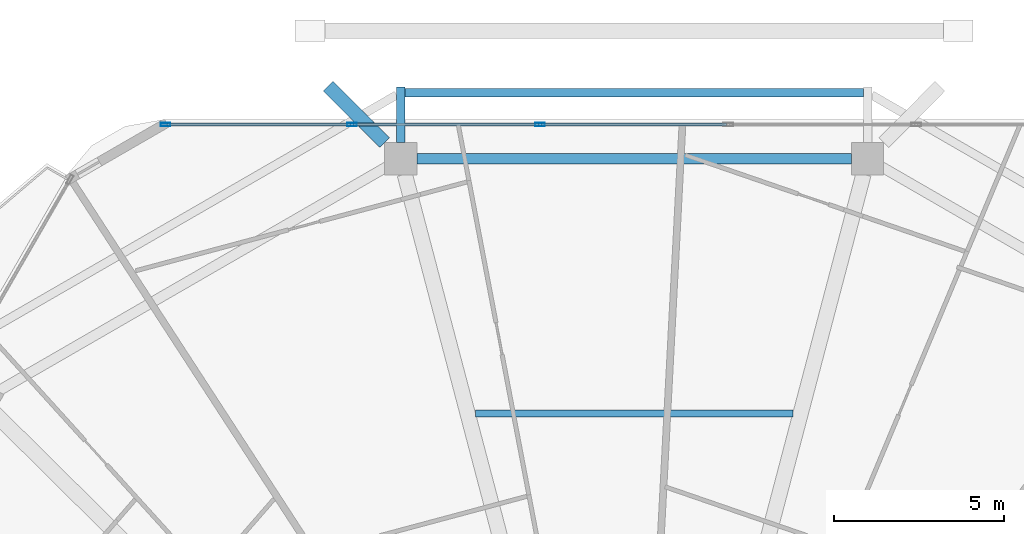
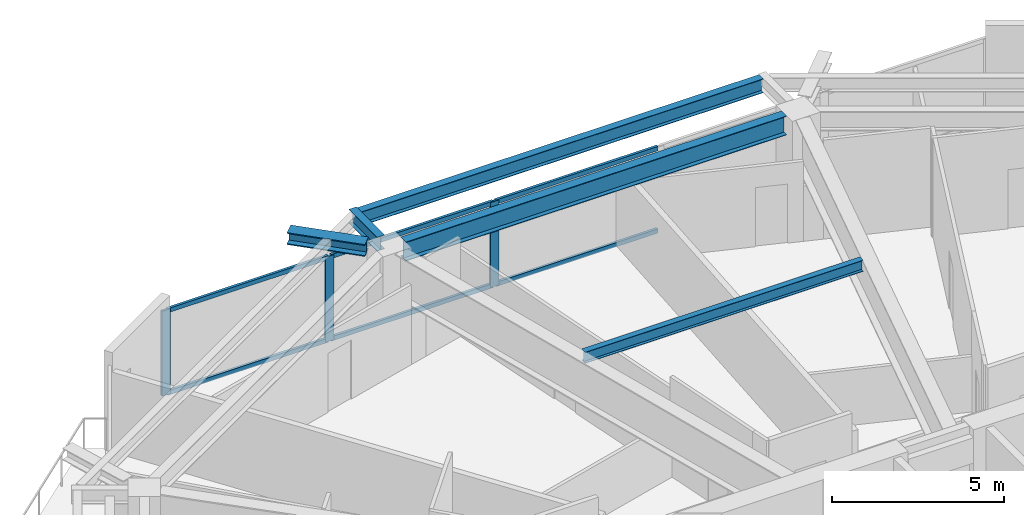
# One storey, part 15 of 28: 9 members, 5 beams, 1 element without a shape of its own.
"""IFC4 building model written with IfcOpenShell, lengths in metres."""

from ifc_helpers import new_model, si_unit, direction, frame, origin, origin_2d, place, context, subcontext, project, spatial, hollow_rectangle, i_section, extrude, material, material_profile, profile_set, type_object, element, aggregate, save


model = new_model("IFC4")

# Units and contexts
model_context = context("Model", 3, precision=1e-05, world=origin(), true_north=direction((0.0, 1.0)))
body_context = subcontext(model_context, "Body", "Model", "MODEL_VIEW")
ifc_project = project(units=[si_unit("LENGTHUNIT", "METRE"), si_unit("AREAUNIT", "SQUARE_METRE"), si_unit("VOLUMEUNIT", "CUBIC_METRE"), si_unit("PLANEANGLEUNIT", "RADIAN"), si_unit("MASSUNIT", "GRAM", prefix="KILO")], contexts=[model_context])

# Site, building, storey
site_placement = place(None, origin())
site = spatial("IfcSite", under=ifc_project, at=site_placement, CompositionType="ELEMENT")
building_placement = place(site_placement, origin())
building = spatial("IfcBuilding", under=site, at=building_placement, Name="Zuhravey Tower", CompositionType="ELEMENT")
storey_placement = place(building_placement, frame((0.0, 0.0, 222.60009765625)))
storey = spatial("IfcBuildingStorey", under=building, at=storey_placement, Name="L56", CompositionType="ELEMENT", Elevation=222.60009765625)

# Curtain wall, members
ifc_material_1 = material(Name="Thermally broken anodised aluminium", Category="aluminium")
curtain_wall_type = type_object("IfcCurtainWallType", Name="Zone 1-2 Residential Curtain Wall CW3", PredefinedType="NOTDEFINED", material=ifc_material_1)
curtain_wall_placement = place(storey_placement, origin())
curtain_wall = element("IfcCurtainWall", 1, at=curtain_wall_placement, inside=storey, type_object=curtain_wall_type, Name="L56 CW3 CW-L56-F2-1", PredefinedType="NOTDEFINED")
ifc_material_2 = material(Name="Anodised aluminium", Category="aluminium")
ifc_material_profile_1 = material_profile(ifc_material_2, hollow_rectangle(XDim=0.090087890625, YDim=0.284912109375, WallThickness=0.0048828125, at=origin_2d()), Name="ALU-RHS-90x285x5")
ifc_profile_set_1 = profile_set([ifc_material_profile_1], Name="Anodised aluminium")
member_type_1 = type_object("IfcMemberType", Name="Curtain-Wall Mullion 90x180", PredefinedType="MULLION", material=ifc_profile_set_1)
member_1_placement = place(storey_placement, frame((22.183837890625, 59.18310546875, 0.0), z_axis=(0.0, 0.0, 1.0), x_axis=(0.0, 1.0, 0.0)))
member_1 = element("IfcMember", 2, at=member_1_placement, type_object=member_type_1, Name="CW3 mullion 1", PredefinedType="MULLION", context=body_context, shape_type="SweptSolid", body=[
    extrude(hollow_rectangle(XDim=0.090087890625, YDim=0.284912109375, WallThickness=0.0048828125, at=origin_2d()), origin(), (0.0, 0.0, 1.0), 3.02001953125),
])
member_2_placement = place(storey_placement, frame((27.683349609375, 59.18310546875, 0.0), z_axis=(0.0, 0.0, 1.0), x_axis=(0.0, 1.0, 0.0)))
member_2 = element("IfcMember", 3, at=member_2_placement, type_object=member_type_1, Name="CW3 mullion 2", PredefinedType="MULLION", context=body_context, shape_type="SweptSolid", body=[
    extrude(hollow_rectangle(XDim=0.090087890625, YDim=0.284912109375, WallThickness=0.0048828125, at=origin_2d()), origin(), (0.0, 0.0, 1.0), 3.02001953125),
])
member_3_placement = place(storey_placement, frame((33.227783203125, 59.18310546875, 0.0), z_axis=(0.0, 0.0, 1.0), x_axis=(0.0, 1.0, 0.0)))
member_3 = element("IfcMember", 4, at=member_3_placement, type_object=member_type_1, Name="CW3 mullion 3", PredefinedType="MULLION", context=body_context, shape_type="SweptSolid", body=[
    extrude(hollow_rectangle(XDim=0.090087890625, YDim=0.284912109375, WallThickness=0.0048828125, at=origin_2d()), origin(), (0.0, 0.0, 1.0), 3.02001953125),
])
ifc_material_profile_2 = material_profile(ifc_material_2, hollow_rectangle(XDim=0.090087890625, YDim=0.14990234375, WallThickness=0.0048828125, at=origin_2d()), Name="ALU-RHS-90x150x5")
ifc_profile_set_2 = profile_set([ifc_material_profile_2], Name="Anodised aluminium")
member_type_2 = type_object("IfcMemberType", Name="Curtain-Wall Transom 90x150", PredefinedType="USERDEFINED", material=ifc_profile_set_2)
member_4_placement = place(storey_placement, frame((22.22900390625, 59.18310546875, 0.044921875), z_axis=(1.0, 0.0, 0.0), x_axis=(0.0, 1.0, 0.0)))
member_4 = element("IfcMember", 5, at=member_4_placement, type_object=member_type_2, Name="CW3 transom 1.1", ObjectType="TRANSOM", PredefinedType="USERDEFINED", context=body_context, shape_type="SweptSolid", body=[
    extrude(hollow_rectangle(XDim=0.090087890625, YDim=0.14990234375, WallThickness=0.0048828125, at=origin_2d()), origin(), (0.0, 0.0, 1.0), 5.409423828125),
])
member_5_placement = place(storey_placement, frame((22.22900390625, 59.18310546875, 2.974853515625), z_axis=(1.0, 0.0, 0.0), x_axis=(0.0, 1.0, 0.0)))
member_5 = element("IfcMember", 6, at=member_5_placement, type_object=member_type_2, Name="CW3 transom 1.2", ObjectType="TRANSOM", PredefinedType="USERDEFINED", context=body_context, shape_type="SweptSolid", body=[
    extrude(hollow_rectangle(XDim=0.090087890625, YDim=0.14990234375, WallThickness=0.0048828125, at=origin_2d()), origin(), (0.0, 0.0, 1.0), 5.409423828125),
])
member_6_placement = place(storey_placement, frame((27.728271484375, 59.18310546875, 0.044921875), z_axis=(1.0, 0.0, 0.0), x_axis=(0.0, 1.0, 0.0)))
member_6 = element("IfcMember", 7, at=member_6_placement, type_object=member_type_2, Name="CW3 transom 2.1", ObjectType="TRANSOM", PredefinedType="USERDEFINED", context=body_context, shape_type="SweptSolid", body=[
    extrude(hollow_rectangle(XDim=0.090087890625, YDim=0.14990234375, WallThickness=0.0048828125, at=origin_2d()), origin(), (0.0, 0.0, 1.0), 5.45458984375),
])
member_7_placement = place(storey_placement, frame((27.728271484375, 59.18310546875, 2.974853515625), z_axis=(1.0, 0.0, 0.0), x_axis=(0.0, 1.0, 0.0)))
member_7 = element("IfcMember", 8, at=member_7_placement, type_object=member_type_2, Name="CW3 transom 2.2", ObjectType="TRANSOM", PredefinedType="USERDEFINED", context=body_context, shape_type="SweptSolid", body=[
    extrude(hollow_rectangle(XDim=0.090087890625, YDim=0.14990234375, WallThickness=0.0048828125, at=origin_2d()), origin(), (0.0, 0.0, 1.0), 5.45458984375),
])
member_8_placement = place(storey_placement, frame((33.272705078125, 59.18310546875, 0.044921875), z_axis=(1.0, 0.0, 0.0), x_axis=(0.0, 1.0, 0.0)))
member_8 = element("IfcMember", 9, at=member_8_placement, type_object=member_type_2, Name="CW3 transom 3.1", ObjectType="TRANSOM", PredefinedType="USERDEFINED", context=body_context, shape_type="SweptSolid", body=[
    extrude(hollow_rectangle(XDim=0.090087890625, YDim=0.14990234375, WallThickness=0.0048828125, at=origin_2d()), origin(), (0.0, 0.0, 1.0), 5.45458984375),
])
member_9_placement = place(storey_placement, frame((33.272705078125, 59.18310546875, 2.974853515625), z_axis=(1.0, 0.0, 0.0), x_axis=(0.0, 1.0, 0.0)))
member_9 = element("IfcMember", 10, at=member_9_placement, type_object=member_type_2, Name="CW3 transom 3.2", ObjectType="TRANSOM", PredefinedType="USERDEFINED", context=body_context, shape_type="SweptSolid", body=[
    extrude(hollow_rectangle(XDim=0.090087890625, YDim=0.14990234375, WallThickness=0.0048828125, at=origin_2d()), origin(), (0.0, 0.0, 1.0), 5.45458984375),
])
aggregate(curtain_wall, [member_1, member_2, member_3, member_4, member_5, member_6, member_7, member_8, member_9])

# Beams
ifc_material_3 = material(Name="Steel SM460", Category="steel")
ifc_material_profile_3 = material_profile(ifc_material_3, i_section(OverallWidth=0.406982421875, OverallDepth=0.427978515625, WebThickness=0.02001953125, FlangeThickness=0.034912109375, at=origin_2d()), Name="H-428x407x20x35")
ifc_profile_set_3 = profile_set([ifc_material_profile_3], Name="Steel SM460")
beam_type_1 = type_object("IfcBeamType", Name="Exoskeleton Node Tie Beam H428x407", PredefinedType="BEAM", material=ifc_profile_set_3)
beam_1_placement = place(storey_placement, frame((28.640869140625, 58.65087890625, 3.305908203125), z_axis=(-0.706482772037, 0.707730240145, 0.0), x_axis=(-0.707730240145, -0.706482772037, 0.0)))
element("IfcBeam", 11, at=beam_1_placement, inside=storey, type_object=beam_type_1, Name="L56 Exoskeleton Node Tie NT1-04", PredefinedType="BEAM", context=body_context, shape_type="SweptSolid", body=[
    extrude(i_section(OverallWidth=0.406982421875, OverallDepth=0.427978515625, WebThickness=0.02001953125, FlangeThickness=0.034912109375, at=origin_2d()), origin(), (0.0, 0.0, 1.0), 2.348388671875),
])
ifc_material_4 = material(Name="Steel SM355", Category="steel")
ifc_material_profile_4 = material_profile(ifc_material_4, i_section(OverallWidth=0.300048828125, OverallDepth=0.679931640625, WebThickness=0.012939453125, FlangeThickness=0.02197265625, at=origin_2d()), Name="H-680x300x13x22")
ifc_profile_set_4 = profile_set([ifc_material_profile_4], Name="Steel SM355")
beam_type_2 = type_object("IfcBeamType", Name="Perimeter Ring Beam H680x300", PredefinedType="BEAM", material=ifc_profile_set_4)
beam_2_placement = place(storey_placement, frame((42.404052734375, 58.173095703125, 3.179931640625), z_axis=(-1.0, 0.0, 0.0), x_axis=(0.0, -1.0, 0.0)))
element("IfcBeam", 12, at=beam_2_placement, inside=storey, type_object=beam_type_2, Name="L56 PB2 BM-L56-PB-03", PredefinedType="BEAM", context=body_context, shape_type="SweptSolid", body=[
    extrude(i_section(OverallWidth=0.300048828125, OverallDepth=0.679931640625, WebThickness=0.012939453125, FlangeThickness=0.02197265625, at=origin_2d()), origin(), (0.0, 0.0, 1.0), 12.80810546875),
])
ifc_material_profile_5 = material_profile(ifc_material_4, i_section(OverallWidth=0.199951171875, OverallDepth=0.39990234375, WebThickness=0.008056640625, FlangeThickness=0.012939453125, at=origin_2d()), Name="H-400x200x8x13")
ifc_profile_set_5 = profile_set([ifc_material_profile_5], Name="Steel SM355")
beam_type_3 = type_object("IfcBeamType", Name="Secondary Floor Joist H400x200", PredefinedType="JOIST", material=ifc_profile_set_5)
beam_3_placement = place(storey_placement, frame((40.678955078125, 50.665771484375, 3.31982421875), z_axis=(-1.0, 0.0, 0.0), x_axis=(0.0, -1.0, 0.0)))
element("IfcBeam", 13, at=beam_3_placement, inside=storey, type_object=beam_type_3, Name="L56 SJ2 BM-L56-SJ-03-1", PredefinedType="JOIST", context=body_context, shape_type="SweptSolid", body=[
    extrude(i_section(OverallWidth=0.199951171875, OverallDepth=0.39990234375, WebThickness=0.008056640625, FlangeThickness=0.012939453125, at=origin_2d()), origin(), (0.0, 0.0, 1.0), 9.35791015625),
])
ifc_material_profile_6 = material_profile(ifc_material_4, i_section(OverallWidth=0.25, OverallDepth=0.5, WebThickness=0.010009765625, FlangeThickness=0.01611328125, at=origin_2d()), Name="H-500x250x10x16")
ifc_profile_set_6 = profile_set([ifc_material_profile_6], Name="Steel SM355")
beam_type_4 = type_object("IfcBeamType", Name="Tray Cantilever Spandrel H500x250", PredefinedType="SPANDREL", material=ifc_profile_set_6)
beam_4_placement = place(storey_placement, frame((29.117919921875, 58.652099609375, 3.27001953125), z_axis=(0.0, 1.0, 0.0), x_axis=(-1.0, 0.0, 0.0)))
element("IfcBeam", 14, at=beam_4_placement, inside=storey, type_object=beam_type_4, Name="L56 Sky-Tray Cantilever Arm TSB1-R04", PredefinedType="SPANDREL", context=body_context, shape_type="SweptSolid", body=[
    extrude(i_section(OverallWidth=0.25, OverallDepth=0.5, WebThickness=0.010009765625, FlangeThickness=0.01611328125, at=origin_2d()), origin(), (0.0, 0.0, 1.0), 1.64111328125),
])
beam_5_placement = place(storey_placement, frame((42.759033203125, 60.123046875, 3.27001953125), z_axis=(-1.0, 0.0, 0.0), x_axis=(0.0, -1.0, 0.0)))
element("IfcBeam", 15, at=beam_5_placement, inside=storey, type_object=beam_type_4, Name="L56 Sky-Tray Edge Spandrel TSB1-03", PredefinedType="SPANDREL", context=body_context, shape_type="SweptSolid", body=[
    extrude(i_section(OverallWidth=0.25, OverallDepth=0.5, WebThickness=0.010009765625, FlangeThickness=0.01611328125, at=origin_2d()), origin(), (0.0, 0.0, 1.0), 13.51806640625),
])

save(model, "model.ifc")
